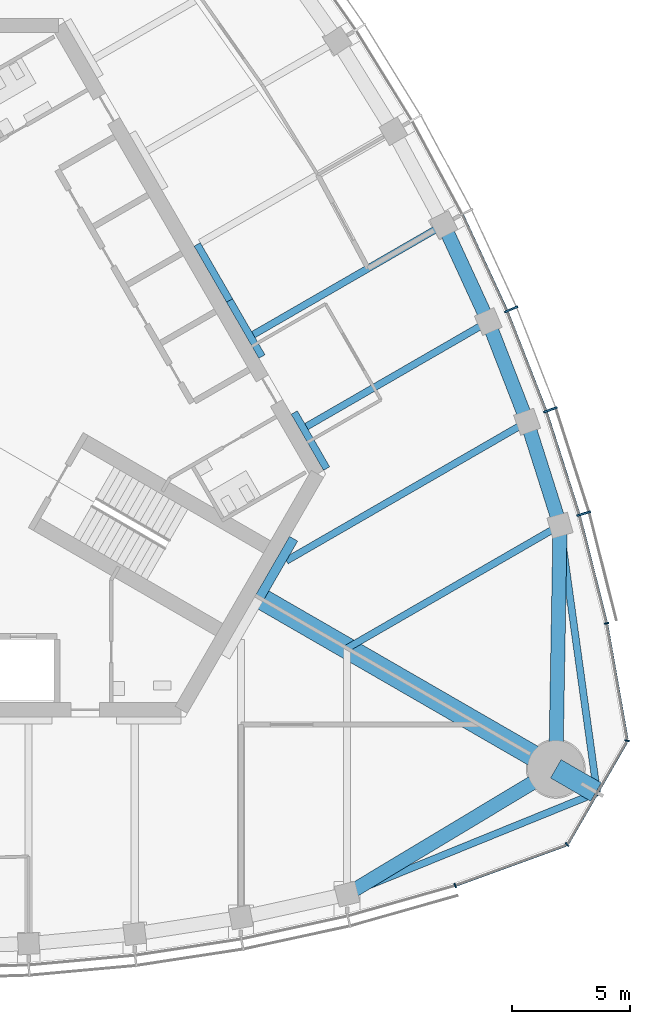
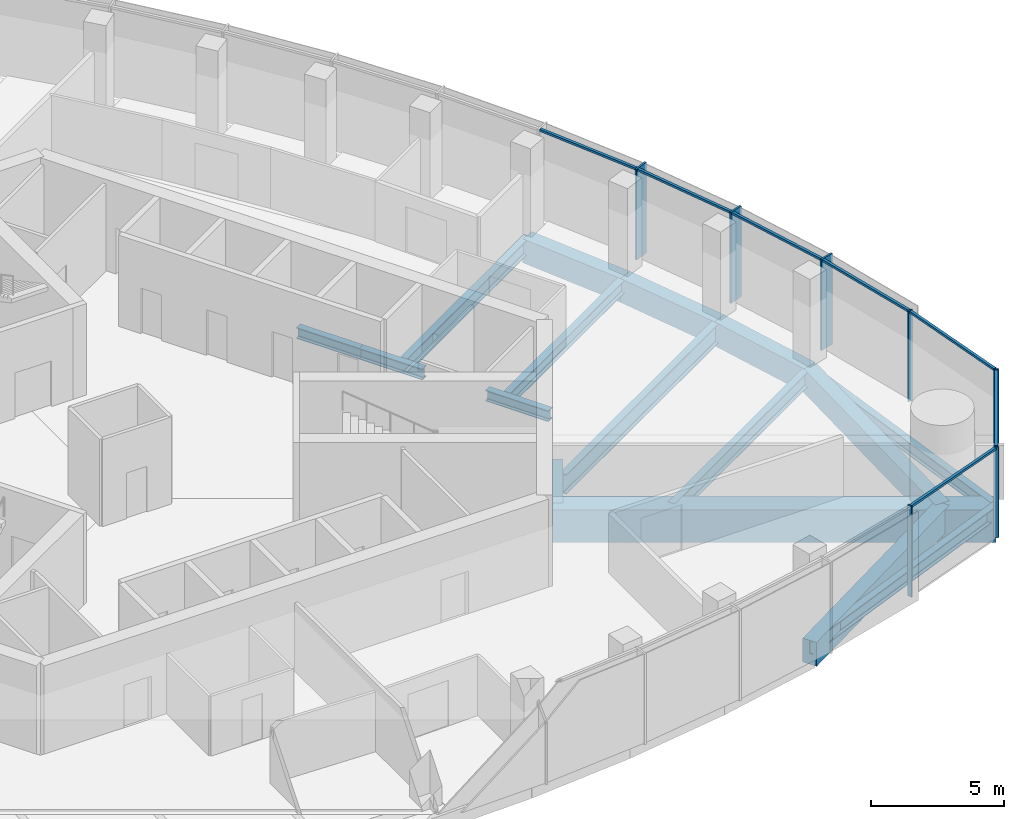
# One storey, part 4 of 16: 17 beams, 14 members, 2 elements without a shape of their own.
"""IFC4 building model written with IfcOpenShell, lengths in metres."""

from ifc_helpers import new_model, si_unit, direction, frame, origin, origin_2d, place, context, subcontext, project, spatial, rectangle, i_section, extrude, material, material_profile, profile_set, type_object, element, aggregate, save


model = new_model("IFC4")

# Units and contexts
model_context = context("Model", 3, precision=1e-05, world=origin(), true_north=direction((0.0, 1.0)))
body_context = subcontext(model_context, "Body", "Model", "MODEL_VIEW")
ifc_project = project(units=[si_unit("LENGTHUNIT", "METRE"), si_unit("AREAUNIT", "SQUARE_METRE"), si_unit("VOLUMEUNIT", "CUBIC_METRE"), si_unit("PLANEANGLEUNIT", "RADIAN"), si_unit("MASSUNIT", "GRAM", prefix="KILO")], contexts=[model_context])

# Site, building, storey
site_placement = place(None, origin())
site = spatial("IfcSite", under=ifc_project, at=site_placement, CompositionType="ELEMENT")
building_placement = place(site_placement, origin())
building = spatial("IfcBuilding", under=site, at=building_placement, Name="Trefoil Bronze Tower", CompositionType="ELEMENT")
storey_placement = place(building_placement, frame((0.0, 0.0, 314.10009765625)))
storey = spatial("IfcBuildingStorey", under=building, at=storey_placement, Name="L72", CompositionType="ELEMENT", Elevation=314.10009765625)

# Curtain wall, members
ifc_material_1 = material(Name="Tinted solar-control glass", Category="glass")
curtain_wall_type_1 = type_object("IfcCurtainWallType", Name="Bronze office curtain wall", PredefinedType="USERDEFINED", material=ifc_material_1)
curtain_wall_1_placement = place(storey_placement, origin())
curtain_wall_1 = element("IfcCurtainWall", 1, at=curtain_wall_1_placement, inside=storey, type_object=curtain_wall_type_1, Name="CW-A L72 F2", ObjectType="CURTAIN WALL", PredefinedType="USERDEFINED")
ifc_material_2 = material(Name="Bronze-finish aluminium", Category="aluminium")
ifc_material_profile_1 = material_profile(ifc_material_2, rectangle(XDim=0.60009765625, YDim=0.080078125, at=origin_2d()), Name="CW-A mullion")
ifc_profile_set_1 = profile_set([ifc_material_profile_1], Name="Bronze-finish aluminium")
member_type_1 = type_object("IfcMemberType", Name="Bronze office curtain wall mullion", PredefinedType="MULLION", material=ifc_profile_set_1)
member_1_placement = place(storey_placement, frame((28.02978515625, -4.685546875, 0.0), z_axis=(0.0, 0.0, 1.0), x_axis=(-0.961395843746, -0.275169096426, 0.0)))
member_1 = element("IfcMember", 2, at=member_1_placement, type_object=member_type_1, Name="CW-A L72 F2 mullion 2", PredefinedType="MULLION", context=body_context, shape_type="SweptSolid", body=[
    extrude(rectangle(XDim=0.60009765625, YDim=0.080078125, at=origin_2d()), origin(), (0.0, 0.0, 1.0), 4.179931640625),
])
member_2_placement = place(storey_placement, frame((26.618896484375, -0.282958984375, 0.0), z_axis=(0.0, 0.0, 1.0), x_axis=(-0.942448408407, -0.334351607581, 0.0)))
member_2 = element("IfcMember", 3, at=member_2_placement, type_object=member_type_1, Name="CW-A L72 F2 mullion 3", PredefinedType="MULLION", context=body_context, shape_type="SweptSolid", body=[
    extrude(rectangle(XDim=0.60009765625, YDim=0.080078125, at=origin_2d()), origin(), (0.0, 0.0, 1.0), 4.179931640625),
])
member_3_placement = place(storey_placement, frame((24.958984375, 3.975830078125, 0.0), z_axis=(0.0, 0.0, 1.0), x_axis=(-0.920205407004, -0.391435829888, 0.0)))
member_3 = element("IfcMember", 4, at=member_3_placement, type_object=member_type_1, Name="CW-A L72 F2 mullion 4", PredefinedType="MULLION", context=body_context, shape_type="SweptSolid", body=[
    extrude(rectangle(XDim=0.60009765625, YDim=0.080078125, at=origin_2d()), origin(), (0.0, 0.0, 1.0), 4.179931640625),
])
ifc_material_3 = material(Name="Bronze-finish aluminium", Category="aluminium")
ifc_material_profile_2 = material_profile(ifc_material_3, rectangle(XDim=0.1201171875, YDim=0.10009765625, at=origin_2d()), Name="CW-A transom")
ifc_profile_set_2 = profile_set([ifc_material_profile_2], Name="Bronze-finish aluminium")
member_type_2 = type_object("IfcMemberType", Name="Bronze office curtain wall transom", PredefinedType="USERDEFINED", material=ifc_profile_set_2)
member_4_placement = place(storey_placement, frame((28.986328125, -9.288330078125, 4.1298828125), z_axis=(-0.244908148095, 0.969546285123, 0.0), x_axis=(-0.969546285123, -0.244908148095, 0.0)))
member_4 = element("IfcMember", 5, at=member_4_placement, type_object=member_type_2, Name="CW-A L72 F2 transom 1", ObjectType="TRANSOM", PredefinedType="USERDEFINED", context=body_context, shape_type="SweptSolid", body=[
    extrude(rectangle(XDim=0.1201171875, YDim=0.10009765625, at=origin_2d()), origin(), (0.0, 0.0, 1.0), 4.6474609375),
])
member_5_placement = place(storey_placement, frame((27.824462890625, -4.699462890625, 4.1298828125), z_axis=(-0.305198606794, 0.95228872219, 0.0), x_axis=(-0.95228872219, -0.305198606794, 0.0)))
member_5 = element("IfcMember", 6, at=member_5_placement, type_object=member_type_2, Name="CW-A L72 F2 transom 2", ObjectType="TRANSOM", PredefinedType="USERDEFINED", context=body_context, shape_type="SweptSolid", body=[
    extrude(rectangle(XDim=0.1201171875, YDim=0.10009765625, at=origin_2d()), origin(), (0.0, 0.0, 1.0), 4.5244140625),
])
member_6_placement = place(storey_placement, frame((26.414794921875, -0.3095703125, 4.1298828125), z_axis=(-0.363178486404, 0.931719586042, 0.0), x_axis=(-0.931719586042, -0.363178486404, 0.0)))
member_6 = element("IfcMember", 7, at=member_6_placement, type_object=member_type_2, Name="CW-A L72 F2 transom 3", ObjectType="TRANSOM", PredefinedType="USERDEFINED", context=body_context, shape_type="SweptSolid", body=[
    extrude(rectangle(XDim=0.1201171875, YDim=0.10009765625, at=origin_2d()), origin(), (0.0, 0.0, 1.0), 4.472412109375),
])
member_7_placement = place(storey_placement, frame((24.7568359375, 3.9365234375, 4.1298828125), z_axis=(-0.4192988407, 0.907848270466, 0.0), x_axis=(-0.907848270466, -0.4192988407, 0.0)))
member_7 = element("IfcMember", 8, at=member_7_placement, type_object=member_type_2, Name="CW-A L72 F2 transom 4", ObjectType="TRANSOM", PredefinedType="USERDEFINED", context=body_context, shape_type="SweptSolid", body=[
    extrude(rectangle(XDim=0.1201171875, YDim=0.10009765625, at=origin_2d()), origin(), (0.0, 0.0, 1.0), 4.4384765625),
])
aggregate(curtain_wall_1, [member_1, member_2, member_3, member_4, member_5, member_6, member_7])

ifc_material_4 = material(Name="Tinted solar-control glass", Category="glass")
curtain_wall_type_2 = type_object("IfcCurtainWallType", Name="Bronze rounded corner curtain wall", PredefinedType="USERDEFINED", material=ifc_material_4)
curtain_wall_2_placement = place(storey_placement, origin())
curtain_wall_2 = element("IfcCurtainWall", 9, at=curtain_wall_2_placement, inside=storey, type_object=curtain_wall_type_2, Name="CW-B L72 K1", ObjectType="CURTAIN WALL", PredefinedType="USERDEFINED")
ifc_material_5 = material(Name="Bronze-finish aluminium", Category="aluminium")
ifc_material_profile_3 = material_profile(ifc_material_5, rectangle(XDim=0.199951171875, YDim=0.06005859375, at=origin_2d()), Name="CW-B mullion")
ifc_profile_set_3 = profile_set([ifc_material_profile_3], Name="Bronze-finish aluminium")
member_type_3 = type_object("IfcMemberType", Name="Bronze rounded corner curtain wall mullion", PredefinedType="MULLION", material=ifc_profile_set_3)
member_8_placement = place(storey_placement, frame((22.58251953125, -20.445556640625, 0.0), z_axis=(0.0, 0.0, 1.0), x_axis=(-0.342020143326, 0.939692620786, 0.0)))
member_8 = element("IfcMember", 10, at=member_8_placement, type_object=member_type_3, Name="CW-B L72 K1 mullion 1", PredefinedType="MULLION", context=body_context, shape_type="SweptSolid", body=[
    extrude(rectangle(XDim=0.199951171875, YDim=0.06005859375, at=origin_2d()), origin(), (0.0, 0.0, 1.0), 4.179931640625),
])
member_9_placement = place(storey_placement, frame((27.326416015625, -18.712646484375, 0.0), z_axis=(0.0, 0.0, 1.0), x_axis=(-0.642787609687, 0.766044443119, 0.0)))
member_9 = element("IfcMember", 11, at=member_9_placement, type_object=member_type_3, Name="CW-B L72 K1 mullion 2", PredefinedType="MULLION", context=body_context, shape_type="SweptSolid", body=[
    extrude(rectangle(XDim=0.199951171875, YDim=0.06005859375, at=origin_2d()), origin(), (0.0, 0.0, 1.0), 4.179931640625),
])
member_10_placement = place(storey_placement, frame((29.86865234375, -14.30908203125, 0.0), z_axis=(0.0, 0.0, 1.0), x_axis=(-0.984807753012, 0.173648177667, 0.0)))
member_10 = element("IfcMember", 12, at=member_10_placement, type_object=member_type_3, Name="CW-B L72 K1 mullion 3", PredefinedType="MULLION", context=body_context, shape_type="SweptSolid", body=[
    extrude(rectangle(XDim=0.199951171875, YDim=0.06005859375, at=origin_2d()), origin(), (0.0, 0.0, 1.0), 4.179931640625),
])
member_11_placement = place(storey_placement, frame((28.99755859375, -9.334228515625, 0.0), z_axis=(0.0, 0.0, 1.0), x_axis=(-0.984807753012, -0.173648177667, 0.0)))
member_11 = element("IfcMember", 13, at=member_11_placement, type_object=member_type_3, Name="CW-B L72 K1 mullion 4", PredefinedType="MULLION", context=body_context, shape_type="SweptSolid", body=[
    extrude(rectangle(XDim=0.199951171875, YDim=0.06005859375, at=origin_2d()), origin(), (0.0, 0.0, 1.0), 4.179931640625),
])
ifc_material_6 = material(Name="Bronze-finish aluminium", Category="aluminium")
ifc_material_profile_4 = material_profile(ifc_material_6, rectangle(XDim=0.1201171875, YDim=0.10009765625, at=origin_2d()), Name="CW-B transom")
ifc_profile_set_4 = profile_set([ifc_material_profile_4], Name="Bronze-finish aluminium")
member_type_4 = type_object("IfcMemberType", Name="Bronze rounded corner curtain wall transom", PredefinedType="USERDEFINED", material=ifc_profile_set_4)
member_12_placement = place(storey_placement, frame((22.610595703125, -20.435302734375, 4.1298828125), z_axis=(0.93969990549, 0.342000128103, 0.0), x_axis=(-0.342000128103, 0.93969990549, 0.0)))
member_12 = element("IfcMember", 14, at=member_12_placement, type_object=member_type_4, Name="CW-B L72 K1 transom 1", ObjectType="TRANSOM", PredefinedType="USERDEFINED", context=body_context, shape_type="SweptSolid", body=[
    extrude(rectangle(XDim=0.1201171875, YDim=0.10009765625, at=origin_2d()), origin(), (0.0, 0.0, 1.0), 4.956298828125),
])
member_13_placement = place(storey_placement, frame((27.36376953125, -18.659912109375, 4.1298828125), z_axis=(0.499985403706, 0.866033830794, 0.0), x_axis=(-0.866033830794, 0.499985403706, 0.0)))
member_13 = element("IfcMember", 15, at=member_13_placement, type_object=member_type_4, Name="CW-B L72 K1 transom 2", ObjectType="TRANSOM", PredefinedType="USERDEFINED", context=body_context, shape_type="SweptSolid", body=[
    extrude(rectangle(XDim=0.1201171875, YDim=0.10009765625, at=origin_2d()), origin(), (0.0, 0.0, 1.0), 4.956298828125),
])
member_14_placement = place(storey_placement, frame((29.863525390625, -14.244873046875, 4.1298828125), z_axis=(-0.173633591509, 0.984810324834, 0.0), x_axis=(-0.984810324834, -0.173633591509, 0.0)))
member_14 = element("IfcMember", 16, at=member_14_placement, type_object=member_type_4, Name="CW-B L72 K1 transom 3", ObjectType="TRANSOM", PredefinedType="USERDEFINED", context=body_context, shape_type="SweptSolid", body=[
    extrude(rectangle(XDim=0.1201171875, YDim=0.10009765625, at=origin_2d()), origin(), (0.0, 0.0, 1.0), 4.956298828125),
])
aggregate(curtain_wall_2, [member_8, member_9, member_10, member_11, member_12, member_13, member_14])

# Beams
ifc_material_7 = material(Name="Steel C355", Category="steel")
ifc_material_profile_5 = material_profile(ifc_material_7, i_section(OverallWidth=0.300048828125, OverallDepth=0.5, WebThickness=0.014404296875, FlangeThickness=0.028076171875, FilletRadius=0.027099609375, at=origin_2d()), Name="HEB 500")
ifc_profile_set_5 = profile_set([ifc_material_profile_5], Name="Steel C355")
beam_type_1 = type_object("IfcBeamType", Name="Core seat beam HEB 500", PredefinedType="BEAM", material=ifc_profile_set_5)
for number, where, z_axis, x_axis, name in (
    (17, (17.1328125, -2.77490234375, -0.4501953125), (-0.499969057507, 0.866043267704, 0.0), (-0.866043267704, -0.499969057507, 0.0), "Core seat beam F2/-2 L72"),
    (18, (14.390380859375, 1.97509765625, -0.4501953125), (-0.499969057507, 0.866043267704, 0.0), (-0.866043267704, -0.499969057507, 0.0), "Core seat beam F2/-1 L72"),
    (19, (13.019287109375, 4.35009765625, -0.4501953125), (-0.500035825175, 0.866004719122, 0.0), (-0.866004719122, -0.500035825175, 0.0), "Core seat beam F2/+0 L72"),
):
    element("IfcBeam", number, at=place(storey_placement, frame(where, z_axis=z_axis, x_axis=x_axis)), inside=storey, type_object=beam_type_1, Name=name, PredefinedType="BEAM", context=body_context, shape_type="SweptSolid", body=[
        extrude(i_section(OverallWidth=0.300048828125, OverallDepth=0.5, WebThickness=0.014404296875, FlangeThickness=0.028076171875, FilletRadius=0.027099609375, at=origin_2d()), origin(), (0.0, 0.0, 1.0), 2.742431640625),
    ])
ifc_material_8 = material(Name="Steel C355", Category="steel")
ifc_material_profile_6 = material_profile(ifc_material_8, i_section(OverallWidth=0.39990234375, OverallDepth=1.199951171875, WebThickness=0.02001953125, FlangeThickness=0.0400390625, FilletRadius=0.010009765625, at=origin_2d()), Name="WPG 1200")
ifc_profile_set_6 = profile_set([ifc_material_profile_6], Name="Steel C355")
beam_type_2 = type_object("IfcBeamType", Name="Core seat beam WPG 1200", PredefinedType="BEAM", material=ifc_profile_set_6)
beam_1_placement = place(storey_placement, frame((14.289306640625, -8.25, -0.800048828125), z_axis=(0.500059191753, 0.865991226713, 0.0), x_axis=(-0.865991226713, 0.500059191753, 0.0)))
element("IfcBeam", 20, at=beam_1_placement, inside=storey, type_object=beam_type_2, Name="Core seat beam F2/-3 L72", PredefinedType="BEAM", context=body_context, shape_type="SweptSolid", body=[
    extrude(i_section(OverallWidth=0.39990234375, OverallDepth=1.199951171875, WebThickness=0.02001953125, FlangeThickness=0.0400390625, FilletRadius=0.010009765625, at=origin_2d()), origin(), (0.0, 0.0, 1.0), 2.886962890625),
])
ifc_material_9 = material(Name="Concrete B80", Category="concrete")
ifc_material_profile_7 = material_profile(ifc_material_9, rectangle(XDim=0.89990234375, YDim=1.5, at=origin_2d()), Name="RC 900x1500")
ifc_profile_set_7 = profile_set([ifc_material_profile_7], Name="Concrete B80")
beam_type_3 = type_object("IfcBeamType", Name="Corner cantilever RC 900x1500", PredefinedType="BEAM", material=ifc_profile_set_7)
beam_2_placement = place(storey_placement, frame((26.8466796875, -15.5, -0.9501953125), z_axis=(0.866010470582, -0.500025864173, 0.0), x_axis=(0.500025864173, 0.866010470582, 0.0)))
element("IfcBeam", 21, at=beam_2_placement, inside=storey, type_object=beam_type_3, Name="Corner cantilever K1 L72", PredefinedType="BEAM", context=body_context, shape_type="SweptSolid", body=[
    extrude(rectangle(XDim=0.89990234375, YDim=1.5, at=origin_2d()), origin(), (0.0, 0.0, 1.0), 2.02001953125),
])
ifc_material_10 = material(Name="Steel C355", Category="steel")
ifc_material_profile_8 = material_profile(ifc_material_10, i_section(OverallWidth=0.300048828125, OverallDepth=0.60009765625, WebThickness=0.015380859375, FlangeThickness=0.030029296875, FilletRadius=0.027099609375, at=origin_2d()), Name="HEB 600")
ifc_profile_set_8 = profile_set([ifc_material_profile_8], Name="Steel C355")
beam_type_4 = type_object("IfcBeamType", Name="Corner edge beam HEB 600", PredefinedType="BEAM", material=ifc_profile_set_8)
beam_3_placement = place(storey_placement, frame((18.0, -20.816162109375, -0.5), z_axis=(0.926419351914, 0.376493272714, 0.0), x_axis=(-0.376493272714, 0.926419351914, 0.0)))
element("IfcBeam", 22, at=beam_3_placement, inside=storey, type_object=beam_type_4, Name="Corner edge beam F1A L72", PredefinedType="BEAM", context=body_context, shape_type="SweptSolid", body=[
    extrude(i_section(OverallWidth=0.300048828125, OverallDepth=0.60009765625, WebThickness=0.015380859375, FlangeThickness=0.030029296875, FilletRadius=0.027099609375, at=origin_2d()), origin(), (0.0, 0.0, 1.0), 11.4375),
])
beam_4_placement = place(storey_placement, frame((27.02734375, -5.180419921875, -0.5), z_axis=(0.137143714313, -0.990551160529, 0.0), x_axis=(0.990551160529, 0.137143714313, 0.0)))
element("IfcBeam", 23, at=beam_4_placement, inside=storey, type_object=beam_type_4, Name="Corner edge beam F2B L72", PredefinedType="BEAM", context=body_context, shape_type="SweptSolid", body=[
    extrude(i_section(OverallWidth=0.300048828125, OverallDepth=0.60009765625, WebThickness=0.015380859375, FlangeThickness=0.030029296875, FilletRadius=0.027099609375, at=origin_2d()), origin(), (0.0, 0.0, 1.0), 11.437744140625),
])
ifc_material_11 = material(Name="Concrete B80", Category="concrete")
ifc_material_profile_9 = material_profile(ifc_material_11, rectangle(XDim=0.89990234375, YDim=1.5, at=origin_2d()), Name="RC 900x1500")
ifc_profile_set_9 = profile_set([ifc_material_profile_9], Name="Concrete B80")
beam_type_5 = type_object("IfcBeamType", Name="Corner girder RC 900x1500", PredefinedType="BEAM", material=ifc_profile_set_9)
beam_5_placement = place(storey_placement, frame((14.1162109375, -8.14990234375, -0.9501953125), z_axis=(0.86602074674, -0.500008066151, 0.0), x_axis=(0.500008066151, 0.86602074674, 0.0)))
element("IfcBeam", 24, at=beam_5_placement, inside=storey, type_object=beam_type_5, Name="Corner girder K1 L72", PredefinedType="BEAM", context=body_context, shape_type="SweptSolid", body=[
    extrude(rectangle(XDim=0.89990234375, YDim=1.5, at=origin_2d()), origin(), (0.0, 0.0, 1.0), 14.699951171875),
])
ifc_material_12 = material(Name="Concrete B80", Category="concrete")
ifc_material_profile_10 = material_profile(ifc_material_12, rectangle(XDim=0.60009765625, YDim=1.10009765625, at=origin_2d()), Name="RC 600x1100")
ifc_profile_set_10 = profile_set([ifc_material_profile_10], Name="Concrete B80")
beam_type_6 = type_object("IfcBeamType", Name="End spandrel beam RC 600x1100", PredefinedType="SPANDREL", material=ifc_profile_set_10)
for number, where, z_axis, x_axis, name in (
    (25, (18.0, -20.816162109375, -0.75), (0.857144173035, 0.515076563855, 0.0), (-0.515076563855, 0.857144173035, 0.0), "Spandrel F1.10 L72"),
    (26, (26.8466796875, -15.5, -0.75), (0.017504237714, 0.999846789094, 0.0), (-0.999846789094, 0.017504237714, 0.0), "Spandrel F2.1 L72"),
):
    element("IfcBeam", number, at=place(storey_placement, frame(where, z_axis=z_axis, x_axis=x_axis)), inside=storey, type_object=beam_type_6, Name=name, PredefinedType="SPANDREL", context=body_context, shape_type="SweptSolid", body=[
        extrude(rectangle(XDim=0.60009765625, YDim=1.10009765625, at=origin_2d()), origin(), (0.0, 0.0, 1.0), 10.321044921875),
    ])
ifc_material_13 = material(Name="Steel C355", Category="steel")
ifc_material_profile_11 = material_profile(ifc_material_13, i_section(OverallWidth=0.300048828125, OverallDepth=0.60009765625, WebThickness=0.015380859375, FlangeThickness=0.030029296875, FilletRadius=0.027099609375, at=origin_2d()), Name="HEB 600")
ifc_profile_set_11 = profile_set([ifc_material_profile_11], Name="Steel C355")
beam_type_7 = type_object("IfcBeamType", Name="Floor beam HEB 600", PredefinedType="BEAM", material=ifc_profile_set_11)
beam_6_placement = place(storey_placement, frame((23.98486328125, 3.455322265625, -0.5), z_axis=(-0.866034827411, -0.499983677445, 0.0), x_axis=(0.499983677445, -0.866034827411, 0.0)))
element("IfcBeam", 27, at=beam_6_placement, inside=storey, type_object=beam_type_7, Name="Floor beam F2/-2 L72", PredefinedType="BEAM", context=body_context, shape_type="SweptSolid", body=[
    extrude(i_section(OverallWidth=0.300048828125, OverallDepth=0.60009765625, WebThickness=0.015380859375, FlangeThickness=0.030029296875, FilletRadius=0.027099609375, at=origin_2d()), origin(), (0.0, 0.0, 1.0), 8.899169921875),
])
ifc_material_14 = material(Name="Steel C355", Category="steel")
ifc_material_profile_12 = material_profile(ifc_material_14, i_section(OverallWidth=0.300048828125, OverallDepth=0.699951171875, WebThickness=0.01708984375, FlangeThickness=0.031982421875, FilletRadius=0.027099609375, at=origin_2d()), Name="HEB 700")
ifc_profile_set_12 = profile_set([ifc_material_profile_12], Name="Steel C355")
beam_type_8 = type_object("IfcBeamType", Name="Floor beam HEB 700", PredefinedType="BEAM", material=ifc_profile_set_12)
beam_7_placement = place(storey_placement, frame((27.02734375, -5.180419921875, -0.550048828125), z_axis=(-0.866026453994, -0.499998180979, 0.0), x_axis=(0.499998180979, -0.866026453994, 0.0)))
element("IfcBeam", 28, at=beam_7_placement, inside=storey, type_object=beam_type_8, Name="Floor beam F2/-4 L72", PredefinedType="BEAM", context=body_context, shape_type="SweptSolid", body=[
    extrude(i_section(OverallWidth=0.300048828125, OverallDepth=0.699951171875, WebThickness=0.01708984375, FlangeThickness=0.031982421875, FilletRadius=0.027099609375, at=origin_2d()), origin(), (0.0, 0.0, 1.0), 10.423828125),
])
beam_8_placement = place(storey_placement, frame((22.093994140625, 7.559814453125, -0.550048828125), z_axis=(-0.866026261222, -0.499998514871, 0.0), x_axis=(0.499998514871, -0.866026261222, 0.0)))
element("IfcBeam", 29, at=beam_8_placement, inside=storey, type_object=beam_type_8, Name="Floor beam F2/-1 L72", PredefinedType="BEAM", context=body_context, shape_type="SweptSolid", body=[
    extrude(i_section(OverallWidth=0.300048828125, OverallDepth=0.699951171875, WebThickness=0.01708984375, FlangeThickness=0.031982421875, FilletRadius=0.027099609375, at=origin_2d()), origin(), (0.0, 0.0, 1.0), 9.31396484375),
])
ifc_material_15 = material(Name="Steel C355", Category="steel")
ifc_material_profile_13 = material_profile(ifc_material_15, i_section(OverallWidth=0.300048828125, OverallDepth=0.89990234375, WebThickness=0.0185546875, FlangeThickness=0.034912109375, FilletRadius=0.030029296875, at=origin_2d()), Name="HEB 900")
ifc_profile_set_13 = profile_set([ifc_material_profile_13], Name="Steel C355")
beam_type_9 = type_object("IfcBeamType", Name="Floor beam HEB 900", PredefinedType="BEAM", material=ifc_profile_set_13)
beam_9_placement = place(storey_placement, frame((25.631591796875, -0.7900390625, -0.650146484375), z_axis=(-0.866026552003, -0.499998011222, 0.0), x_axis=(0.499998011222, -0.866026552003, 0.0)))
element("IfcBeam", 30, at=beam_9_placement, inside=storey, type_object=beam_type_9, Name="Floor beam F2/-3 L72", PredefinedType="BEAM", context=body_context, shape_type="SweptSolid", body=[
    extrude(i_section(OverallWidth=0.300048828125, OverallDepth=0.89990234375, WebThickness=0.0185546875, FlangeThickness=0.034912109375, FilletRadius=0.030029296875, at=origin_2d()), origin(), (0.0, 0.0, 1.0), 11.78515625),
])
ifc_material_16 = material(Name="Concrete B80", Category="concrete")
ifc_material_profile_14 = material_profile(ifc_material_16, rectangle(XDim=0.60009765625, YDim=1.10009765625, at=origin_2d()), Name="RC 600x1100")
ifc_profile_set_14 = profile_set([ifc_material_profile_14], Name="Concrete B80")
beam_type_10 = type_object("IfcBeamType", Name="Spandrel beam RC 600x1100", PredefinedType="SPANDREL", material=ifc_profile_set_14)
beam_10_placement = place(storey_placement, frame((27.02734375, -5.180419921875, -0.75), z_axis=(-0.302969597344, 0.953000221975, 0.0), x_axis=(-0.953000221975, -0.302969597344, 0.0)))
element("IfcBeam", 31, at=beam_10_placement, inside=storey, type_object=beam_type_10, Name="Spandrel F2.2 L72", PredefinedType="SPANDREL", context=body_context, shape_type="SweptSolid", body=[
    extrude(rectangle(XDim=0.60009765625, YDim=1.10009765625, at=origin_2d()), origin(), (0.0, 0.0, 1.0), 4.60693359375),
])
beam_11_placement = place(storey_placement, frame((25.631591796875, -0.7900390625, -0.75), z_axis=(-0.361636286502, 0.932319256631, 0.0), x_axis=(-0.932319256631, -0.361636286502, 0.0)))
element("IfcBeam", 32, at=beam_11_placement, inside=storey, type_object=beam_type_10, Name="Spandrel F2.3 L72", PredefinedType="SPANDREL", context=body_context, shape_type="SweptSolid", body=[
    extrude(rectangle(XDim=0.60009765625, YDim=1.10009765625, at=origin_2d()), origin(), (0.0, 0.0, 1.0), 4.553466796875),
])
beam_12_placement = place(storey_placement, frame((23.98486328125, 3.455322265625, -0.75), z_axis=(-0.418417425199, 0.90825484215, 0.0), x_axis=(-0.90825484215, -0.418417425199, 0.0)))
element("IfcBeam", 33, at=beam_12_placement, inside=storey, type_object=beam_type_10, Name="Spandrel F2.4 L72", PredefinedType="SPANDREL", context=body_context, shape_type="SweptSolid", body=[
    extrude(rectangle(XDim=0.60009765625, YDim=1.10009765625, at=origin_2d()), origin(), (0.0, 0.0, 1.0), 4.51904296875),
])

save(model, "model.ifc")
